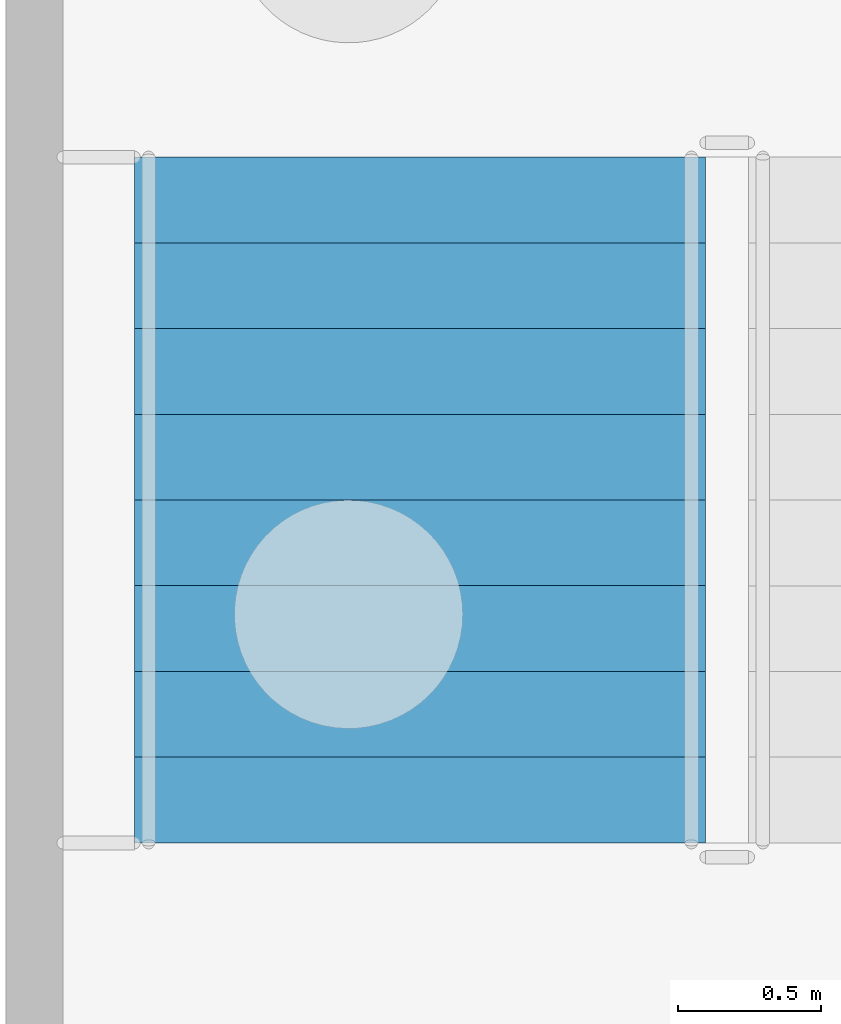
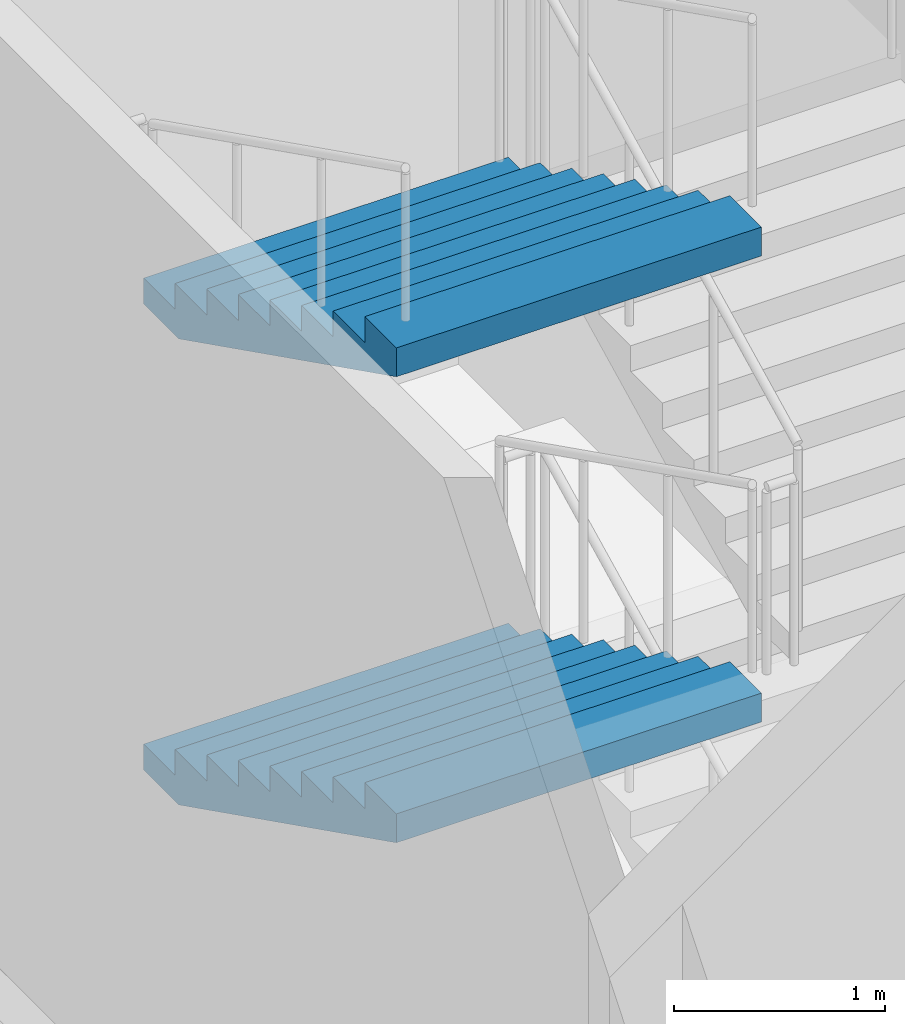
# One storey, part 72 of 129: 2 stair flights, 1 element without a shape of its own.
"""IFC4 building model written with IfcOpenShell, lengths in metres."""

from ifc_helpers import new_model, si_unit, direction, frame, origin, place, context, subcontext, project, spatial, faceted_brep, material, type_object, element, aggregate, save


model = new_model("IFC4")

# Units and contexts
model_context = context("Model", 3, precision=1e-05, world=origin(), true_north=direction((0.0, 1.0)))
body_context = subcontext(model_context, "Body", "Model", "MODEL_VIEW")
ifc_project = project(units=[si_unit("LENGTHUNIT", "METRE"), si_unit("AREAUNIT", "SQUARE_METRE"), si_unit("VOLUMEUNIT", "CUBIC_METRE"), si_unit("PLANEANGLEUNIT", "RADIAN"), si_unit("MASSUNIT", "GRAM", prefix="KILO")], contexts=[model_context])

# Site, building, storey
site_placement = place(None, origin())
site = spatial("IfcSite", under=ifc_project, at=site_placement, CompositionType="ELEMENT")
building_placement = place(site_placement, origin())
building = spatial("IfcBuilding", under=site, at=building_placement, Name="Kiln Court Media Centre", CompositionType="ELEMENT")
storey_placement = place(building_placement, origin())
storey = spatial("IfcBuildingStorey", under=building, at=storey_placement, Name="L00", CompositionType="ELEMENT", Elevation=0.0)

# Stair, stair flights
ifc_material_1 = material(Name="Concrete C40/50", Category="concrete")
stair_type = type_object("IfcStairType", Name="Concrete C40/50 dog-leg stair 2000 wide, 150 riser", PredefinedType="HALF_TURN_STAIR", material=ifc_material_1)
stair_placement = place(storey_placement, origin())
stair = element("IfcStair", 1, at=stair_placement, inside=storey, type_object=stair_type, Name="ST-06 L00", PredefinedType="HALF_TURN_STAIR")
ifc_material_2 = material(Name="Concrete C40/50", Category="concrete")
stair_flight_type = type_object("IfcStairFlightType", Name="Concrete C40/50 stair flight 2000 wide, 150 riser, 300 going", PredefinedType="STRAIGHT", material=ifc_material_2)
stair_flight_1_placement = place(storey_placement, frame((1.449951171875, 38.800048828125, 1.35009765625), z_axis=(0.0, 0.0, 1.0), x_axis=(0.0, -1.0, 0.0)))
stair_flight_1 = element("IfcStairFlight", 2, at=stair_flight_1_placement, type_object=stair_flight_type, Name="L00-ST-5005 flight 5021", NumberOfRisers=9, NumberOfTreads=8, PredefinedType="STRAIGHT", RiserHeight=0.15, TreadLength=0.3, context=body_context, shape_type="Brep", body=[
    faceted_brep([(0.335205078125, -1.0, 0.0), (2.39990234375, -1.0, 1.032470703125), (2.39990234375, -1.0, 1.199951171875), (2.10009765625, -1.0, 1.199951171875), (2.10009765625, -1.0, 1.050048828125), (1.800048828125, -1.0, 1.050048828125), (1.800048828125, -1.0, 0.89990234375), (1.5, -1.0, 0.89990234375), (1.5, -1.0, 0.75), (1.199951171875, -1.0, 0.75), (1.199951171875, -1.0, 0.60009765625), (0.89990234375, -1.0, 0.60009765625), (0.89990234375, -1.0, 0.449951171875), (0.60009765625, -1.0, 0.449951171875), (0.60009765625, -1.0, 0.300048828125), (0.300048828125, -1.0, 0.300048828125), (0.300048828125, -1.0, 0.14990234375), (0.0, -1.0, 0.14990234375), (0.0, -1.0, 0.0), (0.0, 1.0, 0.0), (0.0, 1.0, 0.14990234375), (0.300048828125, 1.0, 0.14990234375), (0.300048828125, 1.0, 0.300048828125), (0.60009765625, 1.0, 0.300048828125), (0.60009765625, 1.0, 0.449951171875), (0.89990234375, 1.0, 0.449951171875), (0.89990234375, 1.0, 0.60009765625), (1.199951171875, 1.0, 0.60009765625), (1.199951171875, 1.0, 0.75), (1.5, 1.0, 0.75), (1.5, 1.0, 0.89990234375), (1.800048828125, 1.0, 0.89990234375), (1.800048828125, 1.0, 1.050048828125), (2.10009765625, 1.0, 1.050048828125), (2.10009765625, 1.0, 1.199951171875), (2.39990234375, 1.0, 1.199951171875), (2.39990234375, 1.0, 1.032470703125), (0.335205078125, 1.0, 0.0), (2.39990234375, 0.10009765625, 1.032470703125), (0.335205078125, 0.10009765625, 0.0), (2.39990234375, 0.080078125, 1.032470703125), (0.335205078125, 0.080078125, 0.0), (2.39990234375, 0.06005859375, 1.032470703125), (0.335205078125, 0.06005859375, 0.0), (2.39990234375, 0.0400390625, 1.032470703125), (0.335205078125, 0.0400390625, 0.0), (2.39990234375, 0.02001953125, 1.032470703125), (0.335205078125, 0.02001953125, 0.0), (2.39990234375, 0.0, 1.032470703125), (0.335205078125, 0.0, 0.0), (2.39990234375, -0.02001953125, 1.032470703125), (0.335205078125, -0.02001953125, 0.0), (2.39990234375, -0.0400390625, 1.032470703125), (0.335205078125, -0.0400390625, 0.0), (2.39990234375, -0.06005859375, 1.032470703125), (0.335205078125, -0.06005859375, 0.0), (2.39990234375, -0.080078125, 1.032470703125), (0.335205078125, -0.080078125, 0.0), (2.39990234375, -0.10009765625, 1.032470703125), (0.335205078125, -0.10009765625, 0.0), (2.39990234375, 0.10009765625, 1.199951171875), (2.39990234375, 0.080078125, 1.199951171875), (2.39990234375, 0.06005859375, 1.199951171875), (2.39990234375, 0.0400390625, 1.199951171875), (2.39990234375, 0.02001953125, 1.199951171875), (2.39990234375, 0.0, 1.199951171875), (2.39990234375, -0.02001953125, 1.199951171875), (2.39990234375, -0.0400390625, 1.199951171875), (2.39990234375, -0.06005859375, 1.199951171875), (2.39990234375, -0.080078125, 1.199951171875), (2.39990234375, -0.10009765625, 1.199951171875), (2.10009765625, 0.10009765625, 1.199951171875), (2.10009765625, 0.080078125, 1.199951171875), (2.10009765625, 0.06005859375, 1.199951171875), (2.10009765625, 0.0400390625, 1.199951171875), (2.10009765625, 0.02001953125, 1.199951171875), (2.10009765625, 0.0, 1.199951171875), (2.10009765625, -0.02001953125, 1.199951171875), (2.10009765625, -0.0400390625, 1.199951171875), (2.10009765625, -0.06005859375, 1.199951171875), (2.10009765625, -0.080078125, 1.199951171875), (2.10009765625, -0.10009765625, 1.199951171875), (2.10009765625, 0.10009765625, 1.050048828125), (2.10009765625, 0.080078125, 1.050048828125), (2.10009765625, 0.06005859375, 1.050048828125), (2.10009765625, 0.0400390625, 1.050048828125), (2.10009765625, 0.02001953125, 1.050048828125), (2.10009765625, 0.0, 1.050048828125), (2.10009765625, -0.02001953125, 1.050048828125), (2.10009765625, -0.0400390625, 1.050048828125), (2.10009765625, -0.06005859375, 1.050048828125), (2.10009765625, -0.080078125, 1.050048828125), (2.10009765625, -0.10009765625, 1.050048828125), (1.800048828125, 0.10009765625, 1.050048828125), (1.800048828125, 0.080078125, 1.050048828125), (1.800048828125, 0.06005859375, 1.050048828125), (1.800048828125, 0.0400390625, 1.050048828125), (1.800048828125, 0.02001953125, 1.050048828125), (1.800048828125, 0.0, 1.050048828125), (1.800048828125, -0.02001953125, 1.050048828125), (1.800048828125, -0.0400390625, 1.050048828125), (1.800048828125, -0.06005859375, 1.050048828125), (1.800048828125, -0.080078125, 1.050048828125), (1.800048828125, -0.10009765625, 1.050048828125), (1.800048828125, 0.10009765625, 0.89990234375), (1.800048828125, 0.080078125, 0.89990234375), (1.800048828125, 0.06005859375, 0.89990234375), (1.800048828125, 0.0400390625, 0.89990234375), (1.800048828125, 0.02001953125, 0.89990234375), (1.800048828125, 0.0, 0.89990234375), (1.800048828125, -0.02001953125, 0.89990234375), (1.800048828125, -0.0400390625, 0.89990234375), (1.800048828125, -0.06005859375, 0.89990234375), (1.800048828125, -0.080078125, 0.89990234375), (1.800048828125, -0.10009765625, 0.89990234375), (1.5, 0.10009765625, 0.89990234375), (1.5, 0.080078125, 0.89990234375), (1.5, 0.06005859375, 0.89990234375), (1.5, 0.0400390625, 0.89990234375), (1.5, 0.02001953125, 0.89990234375), (1.5, 0.0, 0.89990234375), (1.5, -0.02001953125, 0.89990234375), (1.5, -0.0400390625, 0.89990234375), (1.5, -0.06005859375, 0.89990234375), (1.5, -0.080078125, 0.89990234375), (1.5, -0.10009765625, 0.89990234375), (1.5, 0.10009765625, 0.75), (1.5, 0.080078125, 0.75), (1.5, 0.06005859375, 0.75), (1.5, 0.0400390625, 0.75), (1.5, 0.02001953125, 0.75), (1.5, 0.0, 0.75), (1.5, -0.02001953125, 0.75), (1.5, -0.0400390625, 0.75), (1.5, -0.06005859375, 0.75), (1.5, -0.080078125, 0.75), (1.5, -0.10009765625, 0.75), (1.199951171875, 0.10009765625, 0.75), (1.199951171875, 0.080078125, 0.75), (1.199951171875, 0.06005859375, 0.75), (1.199951171875, 0.0400390625, 0.75), (1.199951171875, 0.02001953125, 0.75), (1.199951171875, 0.0, 0.75), (1.199951171875, -0.02001953125, 0.75), (1.199951171875, -0.0400390625, 0.75), (1.199951171875, -0.06005859375, 0.75), (1.199951171875, -0.080078125, 0.75), (1.199951171875, -0.10009765625, 0.75), (1.199951171875, 0.10009765625, 0.60009765625), (1.199951171875, 0.080078125, 0.60009765625), (1.199951171875, 0.06005859375, 0.60009765625), (1.199951171875, 0.0400390625, 0.60009765625), (1.199951171875, 0.02001953125, 0.60009765625), (1.199951171875, 0.0, 0.60009765625), (1.199951171875, -0.02001953125, 0.60009765625), (1.199951171875, -0.0400390625, 0.60009765625), (1.199951171875, -0.06005859375, 0.60009765625), (1.199951171875, -0.080078125, 0.60009765625), (1.199951171875, -0.10009765625, 0.60009765625), (0.89990234375, 0.10009765625, 0.60009765625), (0.89990234375, 0.080078125, 0.60009765625), (0.89990234375, 0.06005859375, 0.60009765625), (0.89990234375, 0.0400390625, 0.60009765625), (0.89990234375, 0.02001953125, 0.60009765625), (0.89990234375, 0.0, 0.60009765625), (0.89990234375, -0.02001953125, 0.60009765625), (0.89990234375, -0.0400390625, 0.60009765625), (0.89990234375, -0.06005859375, 0.60009765625), (0.89990234375, -0.080078125, 0.60009765625), (0.89990234375, -0.10009765625, 0.60009765625), (0.89990234375, 0.10009765625, 0.449951171875), (0.89990234375, 0.080078125, 0.449951171875), (0.89990234375, 0.06005859375, 0.449951171875), (0.89990234375, 0.0400390625, 0.449951171875), (0.89990234375, 0.02001953125, 0.449951171875), (0.89990234375, 0.0, 0.449951171875), (0.89990234375, -0.02001953125, 0.449951171875), (0.89990234375, -0.0400390625, 0.449951171875), (0.89990234375, -0.06005859375, 0.449951171875), (0.89990234375, -0.080078125, 0.449951171875), (0.89990234375, -0.10009765625, 0.449951171875), (0.60009765625, 0.10009765625, 0.449951171875), (0.60009765625, 0.080078125, 0.449951171875), (0.60009765625, 0.06005859375, 0.449951171875), (0.60009765625, 0.0400390625, 0.449951171875), (0.60009765625, 0.02001953125, 0.449951171875), (0.60009765625, 0.0, 0.449951171875), (0.60009765625, -0.02001953125, 0.449951171875), (0.60009765625, -0.0400390625, 0.449951171875), (0.60009765625, -0.06005859375, 0.449951171875), (0.60009765625, -0.080078125, 0.449951171875), (0.60009765625, -0.10009765625, 0.449951171875), (0.60009765625, 0.10009765625, 0.300048828125), (0.60009765625, 0.080078125, 0.300048828125), (0.60009765625, 0.06005859375, 0.300048828125), (0.60009765625, 0.0400390625, 0.300048828125), (0.60009765625, 0.02001953125, 0.300048828125), (0.60009765625, 0.0, 0.300048828125), (0.60009765625, -0.02001953125, 0.300048828125), (0.60009765625, -0.0400390625, 0.300048828125), (0.60009765625, -0.06005859375, 0.300048828125), (0.60009765625, -0.080078125, 0.300048828125), (0.60009765625, -0.10009765625, 0.300048828125), (0.300048828125, 0.10009765625, 0.300048828125), (0.300048828125, 0.080078125, 0.300048828125), (0.300048828125, 0.06005859375, 0.300048828125), (0.300048828125, 0.0400390625, 0.300048828125), (0.300048828125, 0.02001953125, 0.300048828125), (0.300048828125, 0.0, 0.300048828125), (0.300048828125, -0.02001953125, 0.300048828125), (0.300048828125, -0.0400390625, 0.300048828125), (0.300048828125, -0.06005859375, 0.300048828125), (0.300048828125, -0.080078125, 0.300048828125), (0.300048828125, -0.10009765625, 0.300048828125), (0.300048828125, 0.10009765625, 0.14990234375), (0.300048828125, 0.080078125, 0.14990234375), (0.300048828125, 0.06005859375, 0.14990234375), (0.300048828125, 0.0400390625, 0.14990234375), (0.300048828125, 0.02001953125, 0.14990234375), (0.300048828125, 0.0, 0.14990234375), (0.300048828125, -0.02001953125, 0.14990234375), (0.300048828125, -0.0400390625, 0.14990234375), (0.300048828125, -0.06005859375, 0.14990234375), (0.300048828125, -0.080078125, 0.14990234375), (0.300048828125, -0.10009765625, 0.14990234375), (0.0, 0.10009765625, 0.14990234375), (0.0, 0.080078125, 0.14990234375), (0.0, 0.06005859375, 0.14990234375), (0.0, 0.0400390625, 0.14990234375), (0.0, 0.02001953125, 0.14990234375), (0.0, 0.0, 0.14990234375), (0.0, -0.02001953125, 0.14990234375), (0.0, -0.0400390625, 0.14990234375), (0.0, -0.06005859375, 0.14990234375), (0.0, -0.080078125, 0.14990234375), (0.0, -0.10009765625, 0.14990234375), (0.0, 0.10009765625, 0.0), (0.0, 0.080078125, 0.0), (0.0, 0.06005859375, 0.0), (0.0, 0.0400390625, 0.0), (0.0, 0.02001953125, 0.0), (0.0, 0.0, 0.0), (0.0, -0.02001953125, 0.0), (0.0, -0.0400390625, 0.0), (0.0, -0.06005859375, 0.0), (0.0, -0.080078125, 0.0), (0.0, -0.10009765625, 0.0)], [[[0, 1, 2, 3, 4, 5, 6, 7, 8, 9, 10, 11, 12, 13, 14, 15, 16, 17, 18]], [[19, 20, 21, 22, 23, 24, 25, 26, 27, 28, 29, 30, 31, 32, 33, 34, 35, 36, 37]], [[37, 36, 38, 39]], [[39, 38, 40, 41]], [[41, 40, 42, 43]], [[43, 42, 44, 45]], [[45, 44, 46, 47]], [[47, 46, 48, 49]], [[49, 48, 50, 51]], [[51, 50, 52, 53]], [[53, 52, 54, 55]], [[55, 54, 56, 57]], [[57, 56, 58, 59]], [[59, 58, 1, 0]], [[36, 35, 60, 38]], [[38, 60, 61, 40]], [[40, 61, 62, 42]], [[42, 62, 63, 44]], [[44, 63, 64, 46]], [[46, 64, 65, 48]], [[48, 65, 66, 50]], [[50, 66, 67, 52]], [[52, 67, 68, 54]], [[54, 68, 69, 56]], [[56, 69, 70, 58]], [[58, 70, 2, 1]], [[35, 34, 71, 60]], [[60, 71, 72, 61]], [[61, 72, 73, 62]], [[62, 73, 74, 63]], [[63, 74, 75, 64]], [[64, 75, 76, 65]], [[65, 76, 77, 66]], [[66, 77, 78, 67]], [[67, 78, 79, 68]], [[68, 79, 80, 69]], [[69, 80, 81, 70]], [[70, 81, 3, 2]], [[34, 33, 82, 71]], [[71, 82, 83, 72]], [[72, 83, 84, 73]], [[73, 84, 85, 74]], [[74, 85, 86, 75]], [[75, 86, 87, 76]], [[76, 87, 88, 77]], [[77, 88, 89, 78]], [[78, 89, 90, 79]], [[79, 90, 91, 80]], [[80, 91, 92, 81]], [[81, 92, 4, 3]], [[33, 32, 93, 82]], [[82, 93, 94, 83]], [[83, 94, 95, 84]], [[84, 95, 96, 85]], [[85, 96, 97, 86]], [[86, 97, 98, 87]], [[87, 98, 99, 88]], [[88, 99, 100, 89]], [[89, 100, 101, 90]], [[90, 101, 102, 91]], [[91, 102, 103, 92]], [[92, 103, 5, 4]], [[32, 31, 104, 93]], [[93, 104, 105, 94]], [[94, 105, 106, 95]], [[95, 106, 107, 96]], [[96, 107, 108, 97]], [[97, 108, 109, 98]], [[98, 109, 110, 99]], [[99, 110, 111, 100]], [[100, 111, 112, 101]], [[101, 112, 113, 102]], [[102, 113, 114, 103]], [[103, 114, 6, 5]], [[31, 30, 115, 104]], [[104, 115, 116, 105]], [[105, 116, 117, 106]], [[106, 117, 118, 107]], [[107, 118, 119, 108]], [[108, 119, 120, 109]], [[109, 120, 121, 110]], [[110, 121, 122, 111]], [[111, 122, 123, 112]], [[112, 123, 124, 113]], [[113, 124, 125, 114]], [[114, 125, 7, 6]], [[30, 29, 126, 115]], [[115, 126, 127, 116]], [[116, 127, 128, 117]], [[117, 128, 129, 118]], [[118, 129, 130, 119]], [[119, 130, 131, 120]], [[120, 131, 132, 121]], [[121, 132, 133, 122]], [[122, 133, 134, 123]], [[123, 134, 135, 124]], [[124, 135, 136, 125]], [[125, 136, 8, 7]], [[29, 28, 137, 126]], [[126, 137, 138, 127]], [[127, 138, 139, 128]], [[128, 139, 140, 129]], [[129, 140, 141, 130]], [[130, 141, 142, 131]], [[131, 142, 143, 132]], [[132, 143, 144, 133]], [[133, 144, 145, 134]], [[134, 145, 146, 135]], [[135, 146, 147, 136]], [[136, 147, 9, 8]], [[28, 27, 148, 137]], [[137, 148, 149, 138]], [[138, 149, 150, 139]], [[139, 150, 151, 140]], [[140, 151, 152, 141]], [[141, 152, 153, 142]], [[142, 153, 154, 143]], [[143, 154, 155, 144]], [[144, 155, 156, 145]], [[145, 156, 157, 146]], [[146, 157, 158, 147]], [[147, 158, 10, 9]], [[27, 26, 159, 148]], [[148, 159, 160, 149]], [[149, 160, 161, 150]], [[150, 161, 162, 151]], [[151, 162, 163, 152]], [[152, 163, 164, 153]], [[153, 164, 165, 154]], [[154, 165, 166, 155]], [[155, 166, 167, 156]], [[156, 167, 168, 157]], [[157, 168, 169, 158]], [[158, 169, 11, 10]], [[26, 25, 170, 159]], [[159, 170, 171, 160]], [[160, 171, 172, 161]], [[161, 172, 173, 162]], [[162, 173, 174, 163]], [[163, 174, 175, 164]], [[164, 175, 176, 165]], [[165, 176, 177, 166]], [[166, 177, 178, 167]], [[167, 178, 179, 168]], [[168, 179, 180, 169]], [[169, 180, 12, 11]], [[25, 24, 181, 170]], [[170, 181, 182, 171]], [[171, 182, 183, 172]], [[172, 183, 184, 173]], [[173, 184, 185, 174]], [[174, 185, 186, 175]], [[175, 186, 187, 176]], [[176, 187, 188, 177]], [[177, 188, 189, 178]], [[178, 189, 190, 179]], [[179, 190, 191, 180]], [[180, 191, 13, 12]], [[24, 23, 192, 181]], [[181, 192, 193, 182]], [[182, 193, 194, 183]], [[183, 194, 195, 184]], [[184, 195, 196, 185]], [[185, 196, 197, 186]], [[186, 197, 198, 187]], [[187, 198, 199, 188]], [[188, 199, 200, 189]], [[189, 200, 201, 190]], [[190, 201, 202, 191]], [[191, 202, 14, 13]], [[23, 22, 203, 192]], [[192, 203, 204, 193]], [[193, 204, 205, 194]], [[194, 205, 206, 195]], [[195, 206, 207, 196]], [[196, 207, 208, 197]], [[197, 208, 209, 198]], [[198, 209, 210, 199]], [[199, 210, 211, 200]], [[200, 211, 212, 201]], [[201, 212, 213, 202]], [[202, 213, 15, 14]], [[22, 21, 214, 203]], [[203, 214, 215, 204]], [[204, 215, 216, 205]], [[205, 216, 217, 206]], [[206, 217, 218, 207]], [[207, 218, 219, 208]], [[208, 219, 220, 209]], [[209, 220, 221, 210]], [[210, 221, 222, 211]], [[211, 222, 223, 212]], [[212, 223, 224, 213]], [[213, 224, 16, 15]], [[21, 20, 225, 214]], [[214, 225, 226, 215]], [[215, 226, 227, 216]], [[216, 227, 228, 217]], [[217, 228, 229, 218]], [[218, 229, 230, 219]], [[219, 230, 231, 220]], [[220, 231, 232, 221]], [[221, 232, 233, 222]], [[222, 233, 234, 223]], [[223, 234, 235, 224]], [[224, 235, 17, 16]], [[20, 19, 236, 225]], [[225, 236, 237, 226]], [[226, 237, 238, 227]], [[227, 238, 239, 228]], [[228, 239, 240, 229]], [[229, 240, 241, 230]], [[230, 241, 242, 231]], [[231, 242, 243, 232]], [[232, 243, 244, 233]], [[233, 244, 245, 234]], [[234, 245, 246, 235]], [[235, 246, 18, 17]], [[19, 37, 39, 236]], [[236, 39, 41, 237]], [[237, 41, 43, 238]], [[238, 43, 45, 239]], [[239, 45, 47, 240]], [[240, 47, 49, 241]], [[241, 49, 51, 242]], [[242, 51, 53, 243]], [[243, 53, 55, 244]], [[244, 55, 57, 245]], [[245, 57, 59, 246]], [[246, 59, 0, 18]]]),
])
stair_flight_2_placement = place(storey_placement, frame((1.449951171875, 38.800048828125, 4.050048828125), z_axis=(0.0, 0.0, 1.0), x_axis=(0.0, -1.0, 0.0)))
stair_flight_2 = element("IfcStairFlight", 3, at=stair_flight_2_placement, type_object=stair_flight_type, Name="L00-ST-5005 flight 5023", NumberOfRisers=9, NumberOfTreads=8, PredefinedType="STRAIGHT", RiserHeight=0.15, TreadLength=0.3, context=body_context, shape_type="Brep", body=[
    faceted_brep([(0.335205078125, -1.0, 0.0), (2.39990234375, -1.0, 1.032470703125), (2.39990234375, -1.0, 1.199951171875), (2.10009765625, -1.0, 1.199951171875), (2.10009765625, -1.0, 1.050048828125), (1.800048828125, -1.0, 1.050048828125), (1.800048828125, -1.0, 0.89990234375), (1.5, -1.0, 0.89990234375), (1.5, -1.0, 0.75), (1.199951171875, -1.0, 0.75), (1.199951171875, -1.0, 0.60009765625), (0.89990234375, -1.0, 0.60009765625), (0.89990234375, -1.0, 0.449951171875), (0.60009765625, -1.0, 0.449951171875), (0.60009765625, -1.0, 0.300048828125), (0.300048828125, -1.0, 0.300048828125), (0.300048828125, -1.0, 0.14990234375), (0.0, -1.0, 0.14990234375), (0.0, -1.0, 0.0), (0.0, 1.0, 0.0), (0.0, 1.0, 0.14990234375), (0.300048828125, 1.0, 0.14990234375), (0.300048828125, 1.0, 0.300048828125), (0.60009765625, 1.0, 0.300048828125), (0.60009765625, 1.0, 0.449951171875), (0.89990234375, 1.0, 0.449951171875), (0.89990234375, 1.0, 0.60009765625), (1.199951171875, 1.0, 0.60009765625), (1.199951171875, 1.0, 0.75), (1.5, 1.0, 0.75), (1.5, 1.0, 0.89990234375), (1.800048828125, 1.0, 0.89990234375), (1.800048828125, 1.0, 1.050048828125), (2.10009765625, 1.0, 1.050048828125), (2.10009765625, 1.0, 1.199951171875), (2.39990234375, 1.0, 1.199951171875), (2.39990234375, 1.0, 1.032470703125), (0.335205078125, 1.0, 0.0), (2.39990234375, 0.10009765625, 1.032470703125), (0.335205078125, 0.10009765625, 0.0), (2.39990234375, 0.080078125, 1.032470703125), (0.335205078125, 0.080078125, 0.0), (2.39990234375, 0.06005859375, 1.032470703125), (0.335205078125, 0.06005859375, 0.0), (2.39990234375, 0.0400390625, 1.032470703125), (0.335205078125, 0.0400390625, 0.0), (2.39990234375, 0.02001953125, 1.032470703125), (0.335205078125, 0.02001953125, 0.0), (2.39990234375, 0.0, 1.032470703125), (0.335205078125, 0.0, 0.0), (2.39990234375, -0.02001953125, 1.032470703125), (0.335205078125, -0.02001953125, 0.0), (2.39990234375, -0.0400390625, 1.032470703125), (0.335205078125, -0.0400390625, 0.0), (2.39990234375, -0.06005859375, 1.032470703125), (0.335205078125, -0.06005859375, 0.0), (2.39990234375, -0.080078125, 1.032470703125), (0.335205078125, -0.080078125, 0.0), (2.39990234375, -0.10009765625, 1.032470703125), (0.335205078125, -0.10009765625, 0.0), (2.39990234375, 0.10009765625, 1.199951171875), (2.39990234375, 0.080078125, 1.199951171875), (2.39990234375, 0.06005859375, 1.199951171875), (2.39990234375, 0.0400390625, 1.199951171875), (2.39990234375, 0.02001953125, 1.199951171875), (2.39990234375, 0.0, 1.199951171875), (2.39990234375, -0.02001953125, 1.199951171875), (2.39990234375, -0.0400390625, 1.199951171875), (2.39990234375, -0.06005859375, 1.199951171875), (2.39990234375, -0.080078125, 1.199951171875), (2.39990234375, -0.10009765625, 1.199951171875), (2.10009765625, 0.10009765625, 1.199951171875), (2.10009765625, 0.080078125, 1.199951171875), (2.10009765625, 0.06005859375, 1.199951171875), (2.10009765625, 0.0400390625, 1.199951171875), (2.10009765625, 0.02001953125, 1.199951171875), (2.10009765625, 0.0, 1.199951171875), (2.10009765625, -0.02001953125, 1.199951171875), (2.10009765625, -0.0400390625, 1.199951171875), (2.10009765625, -0.06005859375, 1.199951171875), (2.10009765625, -0.080078125, 1.199951171875), (2.10009765625, -0.10009765625, 1.199951171875), (2.10009765625, 0.10009765625, 1.050048828125), (2.10009765625, 0.080078125, 1.050048828125), (2.10009765625, 0.06005859375, 1.050048828125), (2.10009765625, 0.0400390625, 1.050048828125), (2.10009765625, 0.02001953125, 1.050048828125), (2.10009765625, 0.0, 1.050048828125), (2.10009765625, -0.02001953125, 1.050048828125), (2.10009765625, -0.0400390625, 1.050048828125), (2.10009765625, -0.06005859375, 1.050048828125), (2.10009765625, -0.080078125, 1.050048828125), (2.10009765625, -0.10009765625, 1.050048828125), (1.800048828125, 0.10009765625, 1.050048828125), (1.800048828125, 0.080078125, 1.050048828125), (1.800048828125, 0.06005859375, 1.050048828125), (1.800048828125, 0.0400390625, 1.050048828125), (1.800048828125, 0.02001953125, 1.050048828125), (1.800048828125, 0.0, 1.050048828125), (1.800048828125, -0.02001953125, 1.050048828125), (1.800048828125, -0.0400390625, 1.050048828125), (1.800048828125, -0.06005859375, 1.050048828125), (1.800048828125, -0.080078125, 1.050048828125), (1.800048828125, -0.10009765625, 1.050048828125), (1.800048828125, 0.10009765625, 0.89990234375), (1.800048828125, 0.080078125, 0.89990234375), (1.800048828125, 0.06005859375, 0.89990234375), (1.800048828125, 0.0400390625, 0.89990234375), (1.800048828125, 0.02001953125, 0.89990234375), (1.800048828125, 0.0, 0.89990234375), (1.800048828125, -0.02001953125, 0.89990234375), (1.800048828125, -0.0400390625, 0.89990234375), (1.800048828125, -0.06005859375, 0.89990234375), (1.800048828125, -0.080078125, 0.89990234375), (1.800048828125, -0.10009765625, 0.89990234375), (1.5, 0.10009765625, 0.89990234375), (1.5, 0.080078125, 0.89990234375), (1.5, 0.06005859375, 0.89990234375), (1.5, 0.0400390625, 0.89990234375), (1.5, 0.02001953125, 0.89990234375), (1.5, 0.0, 0.89990234375), (1.5, -0.02001953125, 0.89990234375), (1.5, -0.0400390625, 0.89990234375), (1.5, -0.06005859375, 0.89990234375), (1.5, -0.080078125, 0.89990234375), (1.5, -0.10009765625, 0.89990234375), (1.5, 0.10009765625, 0.75), (1.5, 0.080078125, 0.75), (1.5, 0.06005859375, 0.75), (1.5, 0.0400390625, 0.75), (1.5, 0.02001953125, 0.75), (1.5, 0.0, 0.75), (1.5, -0.02001953125, 0.75), (1.5, -0.0400390625, 0.75), (1.5, -0.06005859375, 0.75), (1.5, -0.080078125, 0.75), (1.5, -0.10009765625, 0.75), (1.199951171875, 0.10009765625, 0.75), (1.199951171875, 0.080078125, 0.75), (1.199951171875, 0.06005859375, 0.75), (1.199951171875, 0.0400390625, 0.75), (1.199951171875, 0.02001953125, 0.75), (1.199951171875, 0.0, 0.75), (1.199951171875, -0.02001953125, 0.75), (1.199951171875, -0.0400390625, 0.75), (1.199951171875, -0.06005859375, 0.75), (1.199951171875, -0.080078125, 0.75), (1.199951171875, -0.10009765625, 0.75), (1.199951171875, 0.10009765625, 0.60009765625), (1.199951171875, 0.080078125, 0.60009765625), (1.199951171875, 0.06005859375, 0.60009765625), (1.199951171875, 0.0400390625, 0.60009765625), (1.199951171875, 0.02001953125, 0.60009765625), (1.199951171875, 0.0, 0.60009765625), (1.199951171875, -0.02001953125, 0.60009765625), (1.199951171875, -0.0400390625, 0.60009765625), (1.199951171875, -0.06005859375, 0.60009765625), (1.199951171875, -0.080078125, 0.60009765625), (1.199951171875, -0.10009765625, 0.60009765625), (0.89990234375, 0.10009765625, 0.60009765625), (0.89990234375, 0.080078125, 0.60009765625), (0.89990234375, 0.06005859375, 0.60009765625), (0.89990234375, 0.0400390625, 0.60009765625), (0.89990234375, 0.02001953125, 0.60009765625), (0.89990234375, 0.0, 0.60009765625), (0.89990234375, -0.02001953125, 0.60009765625), (0.89990234375, -0.0400390625, 0.60009765625), (0.89990234375, -0.06005859375, 0.60009765625), (0.89990234375, -0.080078125, 0.60009765625), (0.89990234375, -0.10009765625, 0.60009765625), (0.89990234375, 0.10009765625, 0.449951171875), (0.89990234375, 0.080078125, 0.449951171875), (0.89990234375, 0.06005859375, 0.449951171875), (0.89990234375, 0.0400390625, 0.449951171875), (0.89990234375, 0.02001953125, 0.449951171875), (0.89990234375, 0.0, 0.449951171875), (0.89990234375, -0.02001953125, 0.449951171875), (0.89990234375, -0.0400390625, 0.449951171875), (0.89990234375, -0.06005859375, 0.449951171875), (0.89990234375, -0.080078125, 0.449951171875), (0.89990234375, -0.10009765625, 0.449951171875), (0.60009765625, 0.10009765625, 0.449951171875), (0.60009765625, 0.080078125, 0.449951171875), (0.60009765625, 0.06005859375, 0.449951171875), (0.60009765625, 0.0400390625, 0.449951171875), (0.60009765625, 0.02001953125, 0.449951171875), (0.60009765625, 0.0, 0.449951171875), (0.60009765625, -0.02001953125, 0.449951171875), (0.60009765625, -0.0400390625, 0.449951171875), (0.60009765625, -0.06005859375, 0.449951171875), (0.60009765625, -0.080078125, 0.449951171875), (0.60009765625, -0.10009765625, 0.449951171875), (0.60009765625, 0.10009765625, 0.300048828125), (0.60009765625, 0.080078125, 0.300048828125), (0.60009765625, 0.06005859375, 0.300048828125), (0.60009765625, 0.0400390625, 0.300048828125), (0.60009765625, 0.02001953125, 0.300048828125), (0.60009765625, 0.0, 0.300048828125), (0.60009765625, -0.02001953125, 0.300048828125), (0.60009765625, -0.0400390625, 0.300048828125), (0.60009765625, -0.06005859375, 0.300048828125), (0.60009765625, -0.080078125, 0.300048828125), (0.60009765625, -0.10009765625, 0.300048828125), (0.300048828125, 0.10009765625, 0.300048828125), (0.300048828125, 0.080078125, 0.300048828125), (0.300048828125, 0.06005859375, 0.300048828125), (0.300048828125, 0.0400390625, 0.300048828125), (0.300048828125, 0.02001953125, 0.300048828125), (0.300048828125, 0.0, 0.300048828125), (0.300048828125, -0.02001953125, 0.300048828125), (0.300048828125, -0.0400390625, 0.300048828125), (0.300048828125, -0.06005859375, 0.300048828125), (0.300048828125, -0.080078125, 0.300048828125), (0.300048828125, -0.10009765625, 0.300048828125), (0.300048828125, 0.10009765625, 0.14990234375), (0.300048828125, 0.080078125, 0.14990234375), (0.300048828125, 0.06005859375, 0.14990234375), (0.300048828125, 0.0400390625, 0.14990234375), (0.300048828125, 0.02001953125, 0.14990234375), (0.300048828125, 0.0, 0.14990234375), (0.300048828125, -0.02001953125, 0.14990234375), (0.300048828125, -0.0400390625, 0.14990234375), (0.300048828125, -0.06005859375, 0.14990234375), (0.300048828125, -0.080078125, 0.14990234375), (0.300048828125, -0.10009765625, 0.14990234375), (0.0, 0.10009765625, 0.14990234375), (0.0, 0.080078125, 0.14990234375), (0.0, 0.06005859375, 0.14990234375), (0.0, 0.0400390625, 0.14990234375), (0.0, 0.02001953125, 0.14990234375), (0.0, 0.0, 0.14990234375), (0.0, -0.02001953125, 0.14990234375), (0.0, -0.0400390625, 0.14990234375), (0.0, -0.06005859375, 0.14990234375), (0.0, -0.080078125, 0.14990234375), (0.0, -0.10009765625, 0.14990234375), (0.0, 0.10009765625, 0.0), (0.0, 0.080078125, 0.0), (0.0, 0.06005859375, 0.0), (0.0, 0.0400390625, 0.0), (0.0, 0.02001953125, 0.0), (0.0, 0.0, 0.0), (0.0, -0.02001953125, 0.0), (0.0, -0.0400390625, 0.0), (0.0, -0.06005859375, 0.0), (0.0, -0.080078125, 0.0), (0.0, -0.10009765625, 0.0)], [[[0, 1, 2, 3, 4, 5, 6, 7, 8, 9, 10, 11, 12, 13, 14, 15, 16, 17, 18]], [[19, 20, 21, 22, 23, 24, 25, 26, 27, 28, 29, 30, 31, 32, 33, 34, 35, 36, 37]], [[37, 36, 38, 39]], [[39, 38, 40, 41]], [[41, 40, 42, 43]], [[43, 42, 44, 45]], [[45, 44, 46, 47]], [[47, 46, 48, 49]], [[49, 48, 50, 51]], [[51, 50, 52, 53]], [[53, 52, 54, 55]], [[55, 54, 56, 57]], [[57, 56, 58, 59]], [[59, 58, 1, 0]], [[36, 35, 60, 38]], [[38, 60, 61, 40]], [[40, 61, 62, 42]], [[42, 62, 63, 44]], [[44, 63, 64, 46]], [[46, 64, 65, 48]], [[48, 65, 66, 50]], [[50, 66, 67, 52]], [[52, 67, 68, 54]], [[54, 68, 69, 56]], [[56, 69, 70, 58]], [[58, 70, 2, 1]], [[35, 34, 71, 60]], [[60, 71, 72, 61]], [[61, 72, 73, 62]], [[62, 73, 74, 63]], [[63, 74, 75, 64]], [[64, 75, 76, 65]], [[65, 76, 77, 66]], [[66, 77, 78, 67]], [[67, 78, 79, 68]], [[68, 79, 80, 69]], [[69, 80, 81, 70]], [[70, 81, 3, 2]], [[34, 33, 82, 71]], [[71, 82, 83, 72]], [[72, 83, 84, 73]], [[73, 84, 85, 74]], [[74, 85, 86, 75]], [[75, 86, 87, 76]], [[76, 87, 88, 77]], [[77, 88, 89, 78]], [[78, 89, 90, 79]], [[79, 90, 91, 80]], [[80, 91, 92, 81]], [[81, 92, 4, 3]], [[33, 32, 93, 82]], [[82, 93, 94, 83]], [[83, 94, 95, 84]], [[84, 95, 96, 85]], [[85, 96, 97, 86]], [[86, 97, 98, 87]], [[87, 98, 99, 88]], [[88, 99, 100, 89]], [[89, 100, 101, 90]], [[90, 101, 102, 91]], [[91, 102, 103, 92]], [[92, 103, 5, 4]], [[32, 31, 104, 93]], [[93, 104, 105, 94]], [[94, 105, 106, 95]], [[95, 106, 107, 96]], [[96, 107, 108, 97]], [[97, 108, 109, 98]], [[98, 109, 110, 99]], [[99, 110, 111, 100]], [[100, 111, 112, 101]], [[101, 112, 113, 102]], [[102, 113, 114, 103]], [[103, 114, 6, 5]], [[31, 30, 115, 104]], [[104, 115, 116, 105]], [[105, 116, 117, 106]], [[106, 117, 118, 107]], [[107, 118, 119, 108]], [[108, 119, 120, 109]], [[109, 120, 121, 110]], [[110, 121, 122, 111]], [[111, 122, 123, 112]], [[112, 123, 124, 113]], [[113, 124, 125, 114]], [[114, 125, 7, 6]], [[30, 29, 126, 115]], [[115, 126, 127, 116]], [[116, 127, 128, 117]], [[117, 128, 129, 118]], [[118, 129, 130, 119]], [[119, 130, 131, 120]], [[120, 131, 132, 121]], [[121, 132, 133, 122]], [[122, 133, 134, 123]], [[123, 134, 135, 124]], [[124, 135, 136, 125]], [[125, 136, 8, 7]], [[29, 28, 137, 126]], [[126, 137, 138, 127]], [[127, 138, 139, 128]], [[128, 139, 140, 129]], [[129, 140, 141, 130]], [[130, 141, 142, 131]], [[131, 142, 143, 132]], [[132, 143, 144, 133]], [[133, 144, 145, 134]], [[134, 145, 146, 135]], [[135, 146, 147, 136]], [[136, 147, 9, 8]], [[28, 27, 148, 137]], [[137, 148, 149, 138]], [[138, 149, 150, 139]], [[139, 150, 151, 140]], [[140, 151, 152, 141]], [[141, 152, 153, 142]], [[142, 153, 154, 143]], [[143, 154, 155, 144]], [[144, 155, 156, 145]], [[145, 156, 157, 146]], [[146, 157, 158, 147]], [[147, 158, 10, 9]], [[27, 26, 159, 148]], [[148, 159, 160, 149]], [[149, 160, 161, 150]], [[150, 161, 162, 151]], [[151, 162, 163, 152]], [[152, 163, 164, 153]], [[153, 164, 165, 154]], [[154, 165, 166, 155]], [[155, 166, 167, 156]], [[156, 167, 168, 157]], [[157, 168, 169, 158]], [[158, 169, 11, 10]], [[26, 25, 170, 159]], [[159, 170, 171, 160]], [[160, 171, 172, 161]], [[161, 172, 173, 162]], [[162, 173, 174, 163]], [[163, 174, 175, 164]], [[164, 175, 176, 165]], [[165, 176, 177, 166]], [[166, 177, 178, 167]], [[167, 178, 179, 168]], [[168, 179, 180, 169]], [[169, 180, 12, 11]], [[25, 24, 181, 170]], [[170, 181, 182, 171]], [[171, 182, 183, 172]], [[172, 183, 184, 173]], [[173, 184, 185, 174]], [[174, 185, 186, 175]], [[175, 186, 187, 176]], [[176, 187, 188, 177]], [[177, 188, 189, 178]], [[178, 189, 190, 179]], [[179, 190, 191, 180]], [[180, 191, 13, 12]], [[24, 23, 192, 181]], [[181, 192, 193, 182]], [[182, 193, 194, 183]], [[183, 194, 195, 184]], [[184, 195, 196, 185]], [[185, 196, 197, 186]], [[186, 197, 198, 187]], [[187, 198, 199, 188]], [[188, 199, 200, 189]], [[189, 200, 201, 190]], [[190, 201, 202, 191]], [[191, 202, 14, 13]], [[23, 22, 203, 192]], [[192, 203, 204, 193]], [[193, 204, 205, 194]], [[194, 205, 206, 195]], [[195, 206, 207, 196]], [[196, 207, 208, 197]], [[197, 208, 209, 198]], [[198, 209, 210, 199]], [[199, 210, 211, 200]], [[200, 211, 212, 201]], [[201, 212, 213, 202]], [[202, 213, 15, 14]], [[22, 21, 214, 203]], [[203, 214, 215, 204]], [[204, 215, 216, 205]], [[205, 216, 217, 206]], [[206, 217, 218, 207]], [[207, 218, 219, 208]], [[208, 219, 220, 209]], [[209, 220, 221, 210]], [[210, 221, 222, 211]], [[211, 222, 223, 212]], [[212, 223, 224, 213]], [[213, 224, 16, 15]], [[21, 20, 225, 214]], [[214, 225, 226, 215]], [[215, 226, 227, 216]], [[216, 227, 228, 217]], [[217, 228, 229, 218]], [[218, 229, 230, 219]], [[219, 230, 231, 220]], [[220, 231, 232, 221]], [[221, 232, 233, 222]], [[222, 233, 234, 223]], [[223, 234, 235, 224]], [[224, 235, 17, 16]], [[20, 19, 236, 225]], [[225, 236, 237, 226]], [[226, 237, 238, 227]], [[227, 238, 239, 228]], [[228, 239, 240, 229]], [[229, 240, 241, 230]], [[230, 241, 242, 231]], [[231, 242, 243, 232]], [[232, 243, 244, 233]], [[233, 244, 245, 234]], [[234, 245, 246, 235]], [[235, 246, 18, 17]], [[19, 37, 39, 236]], [[236, 39, 41, 237]], [[237, 41, 43, 238]], [[238, 43, 45, 239]], [[239, 45, 47, 240]], [[240, 47, 49, 241]], [[241, 49, 51, 242]], [[242, 51, 53, 243]], [[243, 53, 55, 244]], [[244, 55, 57, 245]], [[245, 57, 59, 246]], [[246, 59, 0, 18]]]),
])
aggregate(stair, [stair_flight_1, stair_flight_2])

save(model, "model.ifc")
